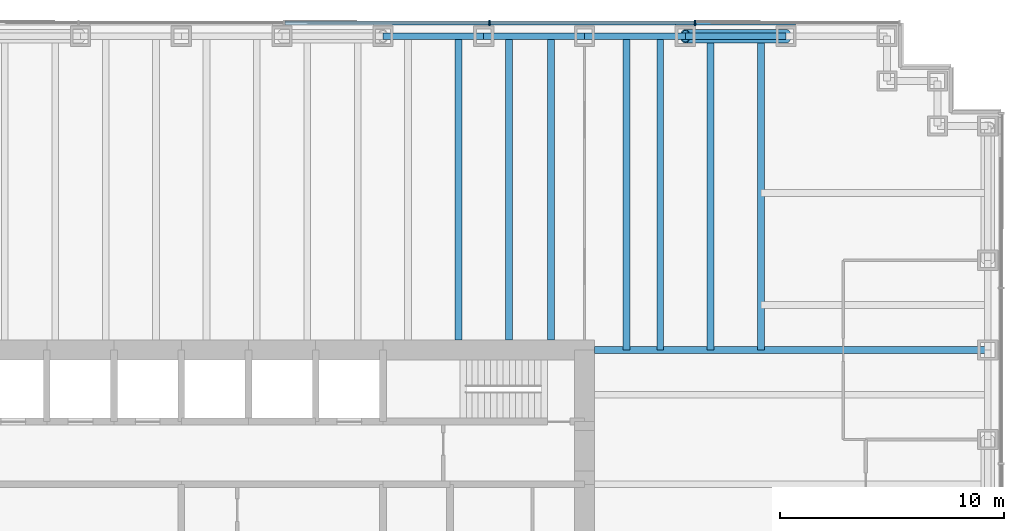
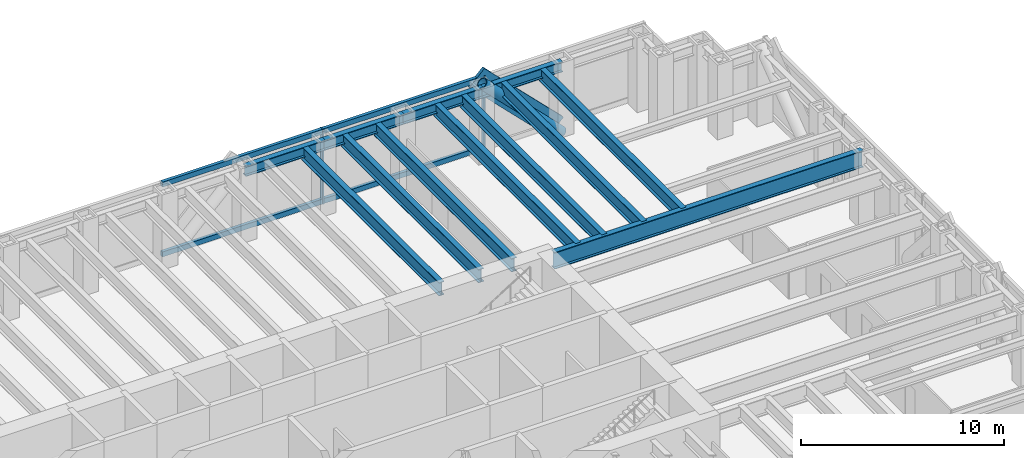
# One storey, part 6 of 13: 12 beams, 8 members, 1 element without a shape of its own.
"""IFC4 building model written with IfcOpenShell, lengths in metres."""

from ifc_helpers import new_model, si_unit, direction, frame, origin, origin_2d, place, context, subcontext, project, spatial, rectangle, hollow_circle, i_section, extrude, material, material_profile, profile_set, type_object, element, aggregate, save


model = new_model("IFC4")

# Units and contexts
model_context = context("Model", 3, precision=1e-05, world=origin(), true_north=direction((0.0, 1.0)))
body_context = subcontext(model_context, "Body", "Model", "MODEL_VIEW")
ifc_project = project(units=[si_unit("LENGTHUNIT", "METRE"), si_unit("AREAUNIT", "SQUARE_METRE"), si_unit("VOLUMEUNIT", "CUBIC_METRE"), si_unit("PLANEANGLEUNIT", "RADIAN"), si_unit("MASSUNIT", "GRAM", prefix="KILO")], contexts=[model_context])

# Site, building, storey
site_placement = place(None, origin())
site = spatial("IfcSite", under=ifc_project, at=site_placement, CompositionType="ELEMENT")
building_placement = place(site_placement, origin())
building = spatial("IfcBuilding", under=site, at=building_placement, Name="Rheinbord Bourse Tower", CompositionType="ELEMENT")
storey_placement = place(building_placement, frame((0.0, 0.0, 36.5)))
storey = spatial("IfcBuildingStorey", under=building, at=storey_placement, Name="L07", CompositionType="ELEMENT", Elevation=36.5)

# Curtain wall, members
ifc_material_1 = material(Name="Dark glass and black aluminium", Category="aluminium")
curtain_wall_type = type_object("IfcCurtainWallType", Name="CW1 DARK GLASS CURTAIN WALL", PredefinedType="USERDEFINED", material=ifc_material_1)
curtain_wall_placement = place(storey_placement, origin())
curtain_wall = element("IfcCurtainWall", 1, at=curtain_wall_placement, inside=storey, type_object=curtain_wall_type, Name="Curtain wall CW1 N L07", ObjectType="UNITISED CURTAIN WALL", PredefinedType="USERDEFINED")
ifc_material_2 = material(Name="Black anodised aluminium", Category="aluminium")
ifc_material_profile_1 = material_profile(ifc_material_2, rectangle(XDim=0.179931640625, YDim=1.2099609375, at=origin_2d()), Name="CW1 DIAGONAL MULLION 1210x180")
ifc_profile_set_1 = profile_set([ifc_material_profile_1], Name="Black anodised aluminium")
member_type_1 = type_object("IfcMemberType", Name="CW1 BLACK DIAGONAL MULLION", PredefinedType="USERDEFINED", material=ifc_profile_set_1)
member_1_placement = place(storey_placement, frame((63.0, 46.60009765625, 0.0), z_axis=(-0.707106781187, 0.0, 0.707106781187), x_axis=(0.0, -1.0, 0.0)))
member_1 = element("IfcMember", 2, at=member_1_placement, type_object=member_type_1, Name="CW1 diagonal mullion c", ObjectType="DIAGONAL MULLION", PredefinedType="USERDEFINED", context=body_context, shape_type="SweptSolid", body=[
    extrude(rectangle(XDim=0.179931640625, YDim=1.2099609375, at=origin_2d()), origin(), (0.0, 0.0, 1.0), 6.364013671875),
])
ifc_material_3 = material(Name="Black anodised aluminium", Category="aluminium")
ifc_material_profile_2 = material_profile(ifc_material_3, rectangle(XDim=0.25, YDim=0.080078125, at=origin_2d()), Name="CW1 MULLION 80x250")
ifc_profile_set_2 = profile_set([ifc_material_profile_2], Name="Black anodised aluminium")
member_type_2 = type_object("IfcMemberType", Name="CW1 BLACK MULLION", PredefinedType="MULLION", material=ifc_profile_set_2)
member_2_placement = place(storey_placement, frame((58.928466796875, 46.60009765625, 0.0), z_axis=(0.0, 0.0, 1.0), x_axis=(0.0, -1.0, 0.0)))
member_2 = element("IfcMember", 3, at=member_2_placement, type_object=member_type_2, Name="CW1 mullion 2", PredefinedType="MULLION", context=body_context, shape_type="SweptSolid", body=[
    extrude(rectangle(XDim=0.25, YDim=0.080078125, at=origin_2d()), origin(), (0.0, 0.0, 1.0), 4.5),
])
member_3_placement = place(storey_placement, frame((49.757080078125, 46.60009765625, 0.0), z_axis=(0.0, 0.0, 1.0), x_axis=(0.0, -1.0, 0.0)))
member_3 = element("IfcMember", 4, at=member_3_placement, type_object=member_type_2, Name="CW1 mullion 3", PredefinedType="MULLION", context=body_context, shape_type="SweptSolid", body=[
    extrude(rectangle(XDim=0.25, YDim=0.080078125, at=origin_2d()), origin(), (0.0, 0.0, 1.0), 4.5),
])
ifc_material_4 = material(Name="Black anodised aluminium", Category="aluminium")
ifc_material_profile_3 = material_profile(ifc_material_4, rectangle(XDim=0.179931640625, YDim=0.300048828125, at=origin_2d()), Name="CW1 TRANSOM 300x180")
ifc_profile_set_3 = profile_set([ifc_material_profile_3], Name="Black anodised aluminium")
member_type_3 = type_object("IfcMemberType", Name="CW1 BLACK TRANSOM", PredefinedType="USERDEFINED", material=ifc_profile_set_3)
member_4_placement = place(storey_placement, frame((58.888671875, 46.60009765625, 0.14990234375), z_axis=(-1.0, 0.0, 0.0), x_axis=(0.0, -1.0, 0.0)))
member_4 = element("IfcMember", 5, at=member_4_placement, type_object=member_type_3, Name="CW1 transom 2.1", ObjectType="TRANSOM", PredefinedType="USERDEFINED", context=body_context, shape_type="SweptSolid", body=[
    extrude(rectangle(XDim=0.179931640625, YDim=0.300048828125, at=origin_2d()), origin(), (0.0, 0.0, 1.0), 9.091552734375),
])
member_5_placement = place(storey_placement, frame((58.888671875, 46.60009765625, 4.35009765625), z_axis=(-1.0, 0.0, 0.0), x_axis=(0.0, -1.0, 0.0)))
member_5 = element("IfcMember", 6, at=member_5_placement, type_object=member_type_3, Name="CW1 transom 2.2", ObjectType="TRANSOM", PredefinedType="USERDEFINED", context=body_context, shape_type="SweptSolid", body=[
    extrude(rectangle(XDim=0.179931640625, YDim=0.300048828125, at=origin_2d()), origin(), (0.0, 0.0, 1.0), 9.091552734375),
])
member_6_placement = place(storey_placement, frame((49.717041015625, 46.60009765625, 0.14990234375), z_axis=(-1.0, 0.0, 0.0), x_axis=(0.0, -1.0, 0.0)))
member_6 = element("IfcMember", 7, at=member_6_placement, type_object=member_type_3, Name="CW1 transom 3.1", ObjectType="TRANSOM", PredefinedType="USERDEFINED", context=body_context, shape_type="SweptSolid", body=[
    extrude(rectangle(XDim=0.179931640625, YDim=0.300048828125, at=origin_2d()), origin(), (0.0, 0.0, 1.0), 9.09130859375),
])
member_7_placement = place(storey_placement, frame((49.717041015625, 46.60009765625, 4.35009765625), z_axis=(-1.0, 0.0, 0.0), x_axis=(0.0, -1.0, 0.0)))
member_7 = element("IfcMember", 8, at=member_7_placement, type_object=member_type_3, Name="CW1 transom 3.2", ObjectType="TRANSOM", PredefinedType="USERDEFINED", context=body_context, shape_type="SweptSolid", body=[
    extrude(rectangle(XDim=0.179931640625, YDim=0.300048828125, at=origin_2d()), origin(), (0.0, 0.0, 1.0), 9.09130859375),
])
aggregate(curtain_wall, [member_2, member_3, member_4, member_5, member_6, member_7, member_1])

# Beams
ifc_material_5 = material(Name="Steel S460", Category="steel")
ifc_material_profile_4 = material_profile(ifc_material_5, i_section(OverallWidth=0.300048828125, OverallDepth=0.800048828125, WebThickness=0.017578125, FlangeThickness=0.032958984375, at=origin_2d()), Name="HEB 800")
ifc_profile_set_4 = profile_set([ifc_material_profile_4], Name="Steel S460")
beam_type_1 = type_object("IfcBeamType", Name="FLOOR BEAM HEB 800", PredefinedType="BEAM", material=ifc_profile_set_4)
for number, where, z_axis, x_axis, name in (
    (9, (48.375, 46.0, 3.919921875), (0.0, -1.0, 0.0), (1.0, 0.0, 0.0), "Floor beam N-45b L08"),
    (10, (50.625, 46.0, 3.919921875), (0.0, -1.0, 0.0), (1.0, 0.0, 0.0), "Floor beam N-49.5a L08"),
    (11, (52.5, 46.0, 3.919921875), (0.0, -1.0, 0.0), (1.0, 0.0, 0.0), "Floor beam N-49.5b L08"),
):
    element("IfcBeam", number, at=place(storey_placement, frame(where, z_axis=z_axis, x_axis=x_axis)), inside=storey, type_object=beam_type_1, Name=name, PredefinedType="BEAM", context=body_context, shape_type="SweptSolid", body=[
        extrude(i_section(OverallWidth=0.300048828125, OverallDepth=0.800048828125, WebThickness=0.017578125, FlangeThickness=0.032958984375, at=origin_2d()), origin(), (0.0, 0.0, 1.0), 13.550048828125),
    ])
for number, where, z_axis, x_axis, name in (
    (12, (55.875, 46.0, 3.919921875), (0.0, -1.0, 0.0), (1.0, 0.0, 0.0), "Floor beam N-54a L08"),
    (13, (57.375, 46.0, 3.919921875), (0.0, -1.0, 0.0), (1.0, 0.0, 0.0), "Floor beam N-54b L08"),
    (14, (59.625, 46.0, 3.919921875), (0.0, -1.0, 0.0), (1.0, 0.0, 0.0), "Floor beam N-58.5a L08"),
    (15, (61.875, 46.0, 3.919921875), (0.0, -1.0, 0.0), (1.0, 0.0, 0.0), "Floor beam N-58.5b L08"),
):
    element("IfcBeam", number, at=place(storey_placement, frame(where, z_axis=z_axis, x_axis=x_axis)), inside=storey, type_object=beam_type_1, Name=name, PredefinedType="BEAM", context=body_context, shape_type="SweptSolid", body=[
        extrude(i_section(OverallWidth=0.300048828125, OverallDepth=0.800048828125, WebThickness=0.017578125, FlangeThickness=0.032958984375, at=origin_2d()), origin(), (0.0, 0.0, 1.0), 14.0),
    ])
ifc_material_6 = material(Name="Steel S460", Category="steel")
ifc_material_profile_5 = material_profile(ifc_material_6, i_section(OverallWidth=0.302001953125, OverallDepth=1.008056640625, WebThickness=0.02099609375, FlangeThickness=0.0400390625, at=origin_2d()), Name="HEM 1000")
ifc_profile_set_5 = profile_set([ifc_material_profile_5], Name="Steel S460")
beam_type_2 = type_object("IfcBeamType", Name="GIRDER HEM 1000", PredefinedType="BEAM", material=ifc_profile_set_5)
beam_placement = place(storey_placement, frame((54.449951171875, 32.0, 3.81591796875), z_axis=(1.0, 0.0, 0.0), x_axis=(0.0, 1.0, 0.0)))
element("IfcBeam", 16, at=beam_placement, inside=storey, type_object=beam_type_2, Name="Girder east 32 L08", PredefinedType="BEAM", context=body_context, shape_type="SweptSolid", body=[
    extrude(i_section(OverallWidth=0.302001953125, OverallDepth=1.008056640625, WebThickness=0.02099609375, FlangeThickness=0.0400390625, at=origin_2d()), origin(), (0.0, 0.0, 1.0), 17.550048828125),
])

# Member
ifc_material_7 = material(Name="Steel S460", Category="steel")
ifc_material_profile_6 = material_profile(ifc_material_7, hollow_circle(Radius=0.304931640625, WallThickness=0.050048828125, at=origin_2d()), Name="CHS 610x50")
ifc_profile_set_6 = profile_set([ifc_material_profile_6], Name="Steel S460")
member_type_4 = type_object("IfcMemberType", Name="MEGABRACE CHS 610x50", PredefinedType="BRACE", material=ifc_profile_set_6)
member_8_placement = place(storey_placement, frame((63.0, 46.0, 0.0), z_axis=(-0.707106781187, 0.0, 0.707106781187), x_axis=(0.0, -1.0, 0.0)))
element("IfcMember", 17, at=member_8_placement, inside=storey, type_object=member_type_4, Name="Megabrace N face line c L07", PredefinedType="BRACE", context=body_context, shape_type="SweptSolid", body=[
    extrude(hollow_circle(Radius=0.304931640625, WallThickness=0.050048828125, at=origin_2d()), origin(), (0.0, 0.0, 1.0), 6.364013671875),
])

# Beams
ifc_material_8 = material(Name="Steel S460", Category="steel")
ifc_material_profile_7 = material_profile(ifc_material_8, i_section(OverallWidth=0.304931640625, OverallDepth=0.6201171875, WebThickness=0.02099609375, FlangeThickness=0.0400390625, at=origin_2d()), Name="HEM 600")
ifc_profile_set_7 = profile_set([ifc_material_profile_7], Name="Steel S460")
beam_type_3 = type_object("IfcBeamType", Name="SPANDREL HEM 600", PredefinedType="SPANDREL", material=ifc_profile_set_7)
for number, where, z_axis, x_axis, name in (
    (18, (63.0, 46.0, 4.010009765625), (-1.0, 0.0, 0.0), (0.0, -1.0, 0.0), "Spandrel N-63-N-58.5 under L08"),
    (19, (58.5, 46.0, 4.010009765625), (-1.0, 0.0, 0.0), (0.0, -1.0, 0.0), "Spandrel N-58.5-N-54 under L08"),
    (20, (54.0, 46.0, 4.010009765625), (-1.0, 0.0, 0.0), (0.0, -1.0, 0.0), "Spandrel N-54-N-49.5 under L08"),
    (21, (49.5, 46.0, 4.010009765625), (-1.0, 0.0, 0.0), (0.0, -1.0, 0.0), "Spandrel N-49.5-N-45 under L08"),
):
    element("IfcBeam", number, at=place(storey_placement, frame(where, z_axis=z_axis, x_axis=x_axis)), inside=storey, type_object=beam_type_3, Name=name, PredefinedType="SPANDREL", context=body_context, shape_type="SweptSolid", body=[
        extrude(i_section(OverallWidth=0.304931640625, OverallDepth=0.6201171875, WebThickness=0.02099609375, FlangeThickness=0.0400390625, at=origin_2d()), origin(), (0.0, 0.0, 1.0), 4.5),
    ])

save(model, "model.ifc")
